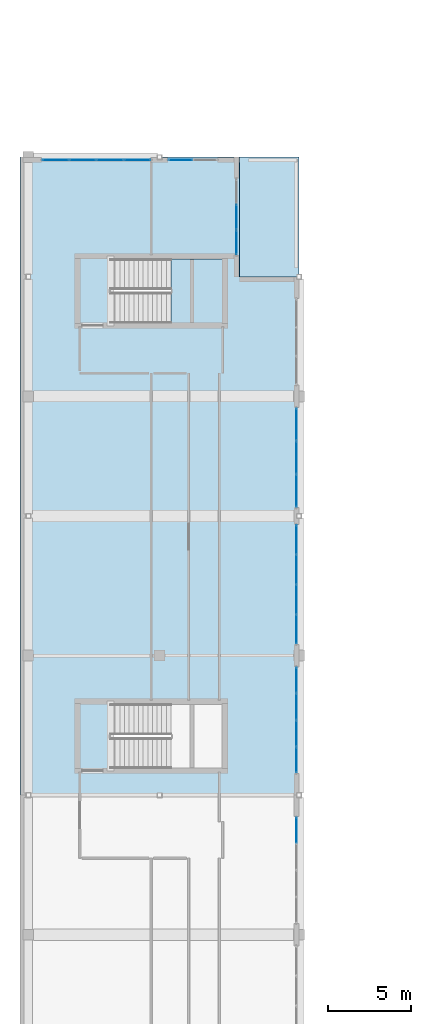
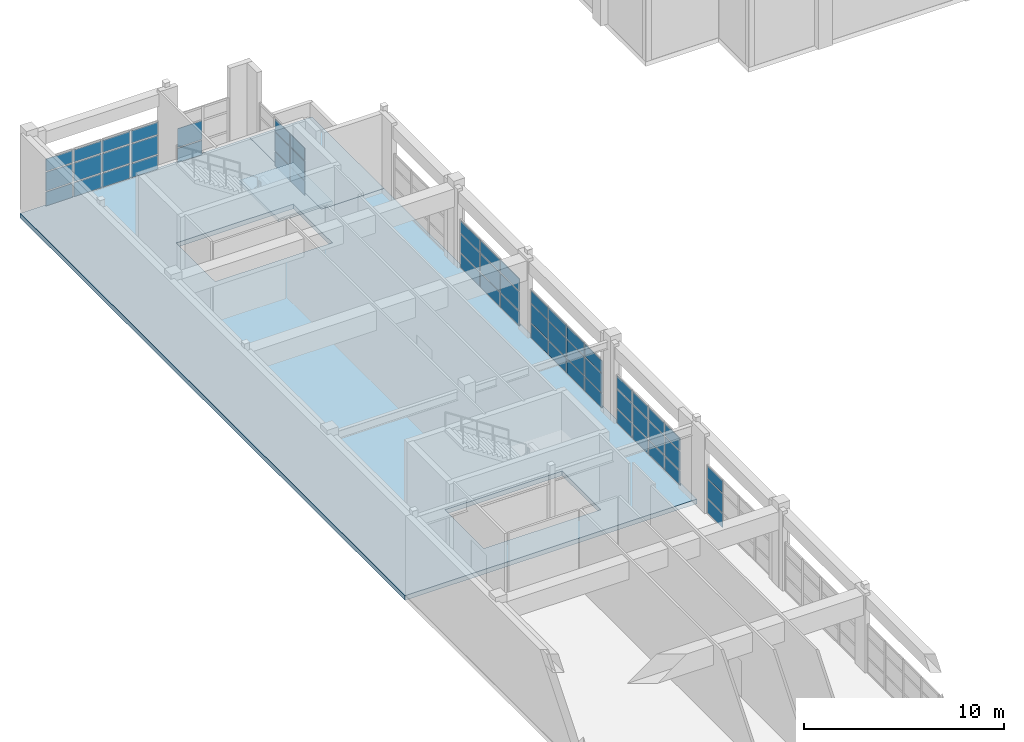
# One storey, part 56 of 78: 56 plates, 3 slabs, 8 elements without a shape of their own.
"""IFC4 building model written with IfcOpenShell, lengths in metres."""

from ifc_helpers import new_model, si_unit, direction, frame, origin, origin_2d, place, context, subcontext, project, spatial, polyline, rectangle, outline, extrude, material, layer, layer_set, type_object, element, aggregate, save


model = new_model("IFC4")

# Units and contexts
model_context = context("Model", 3, precision=1e-05, world=origin(), true_north=direction((0.0, 1.0)))
body_context = subcontext(model_context, "Body", "Model", "MODEL_VIEW")
ifc_project = project(units=[si_unit("LENGTHUNIT", "METRE"), si_unit("AREAUNIT", "SQUARE_METRE"), si_unit("VOLUMEUNIT", "CUBIC_METRE"), si_unit("PLANEANGLEUNIT", "RADIAN"), si_unit("MASSUNIT", "GRAM", prefix="KILO")], contexts=[model_context])

# Site, building, storey
site_placement = place(None, origin())
site = spatial("IfcSite", under=ifc_project, at=site_placement, CompositionType="ELEMENT")
building_placement = place(site_placement, origin())
building = spatial("IfcBuilding", under=site, at=building_placement, Name="Quendrovan Civic Courthouse", CompositionType="ELEMENT")
storey_placement = place(building_placement, frame((0.0, 0.0, 20.39990234375)))
storey = spatial("IfcBuildingStorey", under=building, at=storey_placement, Name="L05", CompositionType="ELEMENT", Elevation=20.39990234375)

# Curtain wall, plates
ifc_material_1 = material(Name="Bronze anodised aluminium and low-E glass", Category="aluminium")
ifc_layer_1 = layer(ifc_material_1, 0.179931640625, Name="Bronze anodised aluminium and low-E glass")
ifc_layer_set_1 = layer_set([ifc_layer_1], Name="Bronze anodised aluminium and low-E glass")
curtain_wall_type_1 = type_object("IfcCurtainWallType", Name="CW-U46x30", PredefinedType="USERDEFINED", material=ifc_layer_set_1)
curtain_wall_1_placement = place(storey_placement, origin())
curtain_wall_1 = element("IfcCurtainWall", 1, at=curtain_wall_1_placement, inside=storey, type_object=curtain_wall_type_1, Name="L05 Unitised Hurricane Curtain Wall CW-180", ObjectType="UNITISED CURTAIN WALL", PredefinedType="USERDEFINED")
ifc_material_2 = material(Name="Laminated hurricane-impact low-E glass", Category="glass")
ifc_layer_2 = layer(ifc_material_2, 0.028076171875, Name="Laminated hurricane-impact low-E glass")
ifc_layer_set_2 = layer_set([ifc_layer_2], Name="Laminated hurricane-impact low-E glass")
plate_type_1 = type_object("IfcPlateType", Name="CW-PNL-1", PredefinedType="CURTAIN_PANEL", material=ifc_layer_set_2)
plate_1_placement = place(storey_placement, frame((13.034912109375, 91.199951171875, 0.0703125), z_axis=(0.0, 0.0, 1.0), x_axis=(0.0, -1.0, 0.0)))
plate_1 = element("IfcPlate", 2, at=plate_1_placement, type_object=plate_type_1, Name="CW-180 panel 2.1", PredefinedType="CURTAIN_PANEL", context=body_context, shape_type="SweptSolid", body=[
    extrude(rectangle(XDim=1.46337890625, YDim=0.028076171875, at=origin_2d()), origin(), (0.0, 0.0, 1.0), 0.844970703125),
])
plate_2_placement = place(storey_placement, frame((13.034912109375, 91.199951171875, 0.985107421875), z_axis=(0.0, 0.0, 1.0), x_axis=(0.0, -1.0, 0.0)))
plate_2 = element("IfcPlate", 3, at=plate_2_placement, type_object=plate_type_1, Name="CW-180 panel 2.2", PredefinedType="CURTAIN_PANEL", context=body_context, shape_type="SweptSolid", body=[
    extrude(rectangle(XDim=1.46337890625, YDim=0.028076171875, at=origin_2d()), origin(), (0.0, 0.0, 1.0), 1.1298828125),
])
plate_3_placement = place(storey_placement, frame((13.034912109375, 91.199951171875, 2.18505859375), z_axis=(0.0, 0.0, 1.0), x_axis=(0.0, -1.0, 0.0)))
plate_3 = element("IfcPlate", 4, at=plate_3_placement, type_object=plate_type_1, Name="CW-180 panel 2.3", PredefinedType="CURTAIN_PANEL", context=body_context, shape_type="SweptSolid", body=[
    extrude(rectangle(XDim=1.46337890625, YDim=0.028076171875, at=origin_2d()), origin(), (0.0, 0.0, 1.0), 0.735107421875),
])
plate_4_placement = place(storey_placement, frame((13.034912109375, 89.68408203125, 0.0703125), z_axis=(0.0, 0.0, 1.0), x_axis=(0.0, -1.0, 0.0)))
plate_4 = element("IfcPlate", 5, at=plate_4_placement, type_object=plate_type_1, Name="CW-180 panel 3.1", PredefinedType="CURTAIN_PANEL", context=body_context, shape_type="SweptSolid", body=[
    extrude(rectangle(XDim=1.42822265625, YDim=0.028076171875, at=origin_2d()), origin(), (0.0, 0.0, 1.0), 0.844970703125),
])
plate_5_placement = place(storey_placement, frame((13.034912109375, 89.68408203125, 0.985107421875), z_axis=(0.0, 0.0, 1.0), x_axis=(0.0, -1.0, 0.0)))
plate_5 = element("IfcPlate", 6, at=plate_5_placement, type_object=plate_type_1, Name="CW-180 panel 3.2", PredefinedType="CURTAIN_PANEL", context=body_context, shape_type="SweptSolid", body=[
    extrude(rectangle(XDim=1.42822265625, YDim=0.028076171875, at=origin_2d()), origin(), (0.0, 0.0, 1.0), 1.1298828125),
])
plate_6_placement = place(storey_placement, frame((13.034912109375, 89.68408203125, 2.18505859375), z_axis=(0.0, 0.0, 1.0), x_axis=(0.0, -1.0, 0.0)))
plate_6 = element("IfcPlate", 7, at=plate_6_placement, type_object=plate_type_1, Name="CW-180 panel 3.3", PredefinedType="CURTAIN_PANEL", context=body_context, shape_type="SweptSolid", body=[
    extrude(rectangle(XDim=1.42822265625, YDim=0.028076171875, at=origin_2d()), origin(), (0.0, 0.0, 1.0), 0.735107421875),
])
aggregate(curtain_wall_1, [plate_1, plate_2, plate_3, plate_4, plate_5, plate_6])

ifc_layer_3 = layer(ifc_material_1, 0.179931640625, Name="Bronze anodised aluminium and low-E glass")
ifc_layer_set_3 = layer_set([ifc_layer_3], Name="Bronze anodised aluminium and low-E glass")
curtain_wall_type_2 = type_object("IfcCurtainWallType", Name="CW-U64x30", PredefinedType="USERDEFINED", material=ifc_layer_set_3)
curtain_wall_2_placement = place(storey_placement, origin())
curtain_wall_2 = element("IfcCurtainWall", 8, at=curtain_wall_2_placement, inside=storey, type_object=curtain_wall_type_2, Name="L05 Unitised Hurricane Curtain Wall CW-184", ObjectType="UNITISED CURTAIN WALL", PredefinedType="USERDEFINED")
plate_7_placement = place(storey_placement, frame((16.635009765625, 63.304443359375, 0.0703125), z_axis=(0.0, 0.0, 1.0), x_axis=(0.0, -1.0, 0.0)))
plate_7 = element("IfcPlate", 9, at=plate_7_placement, type_object=plate_type_1, Name="CW-184 panel 1.1", PredefinedType="CURTAIN_PANEL", context=body_context, shape_type="SweptSolid", body=[
    extrude(rectangle(XDim=1.501220703125, YDim=0.028076171875, at=origin_2d()), origin(), (0.0, 0.0, 1.0), 0.844970703125),
])
plate_8_placement = place(storey_placement, frame((16.635009765625, 63.304443359375, 0.985107421875), z_axis=(0.0, 0.0, 1.0), x_axis=(0.0, -1.0, 0.0)))
plate_8 = element("IfcPlate", 10, at=plate_8_placement, type_object=plate_type_1, Name="CW-184 panel 1.2", PredefinedType="CURTAIN_PANEL", context=body_context, shape_type="SweptSolid", body=[
    extrude(rectangle(XDim=1.501220703125, YDim=0.028076171875, at=origin_2d()), origin(), (0.0, 0.0, 1.0), 1.1298828125),
])
plate_9_placement = place(storey_placement, frame((16.635009765625, 63.304443359375, 2.18505859375), z_axis=(0.0, 0.0, 1.0), x_axis=(0.0, -1.0, 0.0)))
plate_9 = element("IfcPlate", 11, at=plate_9_placement, type_object=plate_type_1, Name="CW-184 panel 1.3", PredefinedType="CURTAIN_PANEL", context=body_context, shape_type="SweptSolid", body=[
    extrude(rectangle(XDim=1.501220703125, YDim=0.028076171875, at=origin_2d()), origin(), (0.0, 0.0, 1.0), 0.735107421875),
])
plate_10_placement = place(storey_placement, frame((16.635009765625, 61.715576171875, 0.0703125), z_axis=(0.0, 0.0, 1.0), x_axis=(0.0, -1.0, 0.0)))
plate_10 = element("IfcPlate", 12, at=plate_10_placement, type_object=plate_type_1, Name="CW-184 panel 2.1", PredefinedType="CURTAIN_PANEL", context=body_context, shape_type="SweptSolid", body=[
    extrude(rectangle(XDim=1.5361328125, YDim=0.028076171875, at=origin_2d()), origin(), (0.0, 0.0, 1.0), 0.844970703125),
])
plate_11_placement = place(storey_placement, frame((16.635009765625, 61.715576171875, 0.985107421875), z_axis=(0.0, 0.0, 1.0), x_axis=(0.0, -1.0, 0.0)))
plate_11 = element("IfcPlate", 13, at=plate_11_placement, type_object=plate_type_1, Name="CW-184 panel 2.2", PredefinedType="CURTAIN_PANEL", context=body_context, shape_type="SweptSolid", body=[
    extrude(rectangle(XDim=1.5361328125, YDim=0.028076171875, at=origin_2d()), origin(), (0.0, 0.0, 1.0), 1.1298828125),
])
plate_12_placement = place(storey_placement, frame((16.635009765625, 61.715576171875, 2.18505859375), z_axis=(0.0, 0.0, 1.0), x_axis=(0.0, -1.0, 0.0)))
plate_12 = element("IfcPlate", 14, at=plate_12_placement, type_object=plate_type_1, Name="CW-184 panel 2.3", PredefinedType="CURTAIN_PANEL", context=body_context, shape_type="SweptSolid", body=[
    extrude(rectangle(XDim=1.5361328125, YDim=0.028076171875, at=origin_2d()), origin(), (0.0, 0.0, 1.0), 0.735107421875),
])
plate_13_placement = place(storey_placement, frame((16.635009765625, 60.109375, 0.0703125), z_axis=(0.0, 0.0, 1.0), x_axis=(0.0, -1.0, 0.0)))
plate_13 = element("IfcPlate", 15, at=plate_13_placement, type_object=plate_type_1, Name="CW-184 panel 3.1", PredefinedType="CURTAIN_PANEL", context=body_context, shape_type="SweptSolid", body=[
    extrude(rectangle(XDim=1.5361328125, YDim=0.028076171875, at=origin_2d()), origin(), (0.0, 0.0, 1.0), 0.844970703125),
])
plate_14_placement = place(storey_placement, frame((16.635009765625, 60.109375, 0.985107421875), z_axis=(0.0, 0.0, 1.0), x_axis=(0.0, -1.0, 0.0)))
plate_14 = element("IfcPlate", 16, at=plate_14_placement, type_object=plate_type_1, Name="CW-184 panel 3.2", PredefinedType="CURTAIN_PANEL", context=body_context, shape_type="SweptSolid", body=[
    extrude(rectangle(XDim=1.5361328125, YDim=0.028076171875, at=origin_2d()), origin(), (0.0, 0.0, 1.0), 1.1298828125),
])
plate_15_placement = place(storey_placement, frame((16.635009765625, 60.109375, 2.18505859375), z_axis=(0.0, 0.0, 1.0), x_axis=(0.0, -1.0, 0.0)))
plate_15 = element("IfcPlate", 17, at=plate_15_placement, type_object=plate_type_1, Name="CW-184 panel 3.3", PredefinedType="CURTAIN_PANEL", context=body_context, shape_type="SweptSolid", body=[
    extrude(rectangle(XDim=1.5361328125, YDim=0.028076171875, at=origin_2d()), origin(), (0.0, 0.0, 1.0), 0.735107421875),
])
plate_16_placement = place(storey_placement, frame((16.635009765625, 58.5205078125, 0.0703125), z_axis=(0.0, 0.0, 1.0), x_axis=(0.0, -1.0, 0.0)))
plate_16 = element("IfcPlate", 18, at=plate_16_placement, type_object=plate_type_1, Name="CW-184 panel 4.1", PredefinedType="CURTAIN_PANEL", context=body_context, shape_type="SweptSolid", body=[
    extrude(rectangle(XDim=1.501220703125, YDim=0.028076171875, at=origin_2d()), origin(), (0.0, 0.0, 1.0), 0.844970703125),
])
plate_17_placement = place(storey_placement, frame((16.635009765625, 58.5205078125, 0.985107421875), z_axis=(0.0, 0.0, 1.0), x_axis=(0.0, -1.0, 0.0)))
plate_17 = element("IfcPlate", 19, at=plate_17_placement, type_object=plate_type_1, Name="CW-184 panel 4.2", PredefinedType="CURTAIN_PANEL", context=body_context, shape_type="SweptSolid", body=[
    extrude(rectangle(XDim=1.501220703125, YDim=0.028076171875, at=origin_2d()), origin(), (0.0, 0.0, 1.0), 1.1298828125),
])
plate_18_placement = place(storey_placement, frame((16.635009765625, 58.5205078125, 2.18505859375), z_axis=(0.0, 0.0, 1.0), x_axis=(0.0, -1.0, 0.0)))
plate_18 = element("IfcPlate", 20, at=plate_18_placement, type_object=plate_type_1, Name="CW-184 panel 4.3", PredefinedType="CURTAIN_PANEL", context=body_context, shape_type="SweptSolid", body=[
    extrude(rectangle(XDim=1.501220703125, YDim=0.028076171875, at=origin_2d()), origin(), (0.0, 0.0, 1.0), 0.735107421875),
])
aggregate(curtain_wall_2, [plate_7, plate_8, plate_9, plate_10, plate_11, plate_12, plate_13, plate_14, plate_15, plate_16, plate_17, plate_18])

curtain_wall_3_placement = place(storey_placement, origin())
curtain_wall_3 = element("IfcCurtainWall", 21, at=curtain_wall_3_placement, inside=storey, type_object=curtain_wall_type_2, Name="L05 Unitised Hurricane Curtain Wall CW-185", ObjectType="UNITISED CURTAIN WALL", PredefinedType="USERDEFINED")
ifc_layer_4 = layer(ifc_material_2, 0.031982421875, Name="Laminated hurricane-impact low-E glass")
ifc_layer_set_4 = layer_set([ifc_layer_4], Name="Laminated hurricane-impact low-E glass")
plate_type_2 = type_object("IfcPlateType", Name="CW-PNL-2", PredefinedType="CURTAIN_PANEL", material=ifc_layer_set_4)
plate_19_placement = place(storey_placement, frame((16.635009765625, 54.280517578125, 0.065185546875), z_axis=(0.0, 0.0, 1.0), x_axis=(0.0, -1.0, 0.0)))
plate_19 = element("IfcPlate", 22, at=plate_19_placement, type_object=plate_type_2, Name="CW-185 panel 1.1", PredefinedType="CURTAIN_PANEL", context=body_context, shape_type="SweptSolid", body=[
    extrude(rectangle(XDim=1.5087890625, YDim=0.031982421875, at=origin_2d()), origin(), (0.0, 0.0, 1.0), 0.8525390625),
])
plate_20_placement = place(storey_placement, frame((16.635009765625, 54.280517578125, 0.982421875), z_axis=(0.0, 0.0, 1.0), x_axis=(0.0, -1.0, 0.0)))
plate_20 = element("IfcPlate", 23, at=plate_20_placement, type_object=plate_type_2, Name="CW-185 panel 1.2", PredefinedType="CURTAIN_PANEL", context=body_context, shape_type="SweptSolid", body=[
    extrude(rectangle(XDim=1.5087890625, YDim=0.031982421875, at=origin_2d()), origin(), (0.0, 0.0, 1.0), 1.135009765625),
])
plate_21_placement = place(storey_placement, frame((16.635009765625, 54.280517578125, 2.1826171875), z_axis=(0.0, 0.0, 1.0), x_axis=(0.0, -1.0, 0.0)))
plate_21 = element("IfcPlate", 24, at=plate_21_placement, type_object=plate_type_2, Name="CW-185 panel 1.3", PredefinedType="CURTAIN_PANEL", context=body_context, shape_type="SweptSolid", body=[
    extrude(rectangle(XDim=1.5087890625, YDim=0.031982421875, at=origin_2d()), origin(), (0.0, 0.0, 1.0), 0.742431640625),
])
aggregate(curtain_wall_3, [plate_19, plate_20, plate_21])

ifc_layer_5 = layer(ifc_material_1, 0.179931640625, Name="Bronze anodised aluminium and low-E glass")
ifc_layer_set_5 = layer_set([ifc_layer_5], Name="Bronze anodised aluminium and low-E glass")
curtain_wall_type_3 = type_object("IfcCurtainWallType", Name="CW-U60x30", PredefinedType="USERDEFINED", material=ifc_layer_set_5)
curtain_wall_4_placement = place(storey_placement, origin())
curtain_wall_4 = element("IfcCurtainWall", 25, at=curtain_wall_4_placement, inside=storey, type_object=curtain_wall_type_3, Name="L05 Unitised Hurricane Curtain Wall CW-182", ObjectType="UNITISED CURTAIN WALL", PredefinedType="USERDEFINED")
ifc_layer_6 = layer(ifc_material_2, 0.035888671875, Name="Laminated hurricane-impact low-E glass")
ifc_layer_set_6 = layer_set([ifc_layer_6], Name="Laminated hurricane-impact low-E glass")
plate_type_3 = type_object("IfcPlateType", Name="CW-PNL-3", PredefinedType="CURTAIN_PANEL", material=ifc_layer_set_6)
plate_22_placement = place(storey_placement, frame((16.635009765625, 78.703369140625, 0.0703125), z_axis=(0.0, 0.0, 1.0), x_axis=(0.0, -1.0, 0.0)))
plate_22 = element("IfcPlate", 26, at=plate_22_placement, type_object=plate_type_3, Name="CW-182 panel 1.1", PredefinedType="CURTAIN_PANEL", context=body_context, shape_type="SweptSolid", body=[
    extrude(rectangle(XDim=1.9033203125, YDim=0.035888671875, at=origin_2d()), origin(), (0.0, 0.0, 1.0), 0.844970703125),
])
plate_23_placement = place(storey_placement, frame((16.635009765625, 78.703369140625, 0.985107421875), z_axis=(0.0, 0.0, 1.0), x_axis=(0.0, -1.0, 0.0)))
plate_23 = element("IfcPlate", 27, at=plate_23_placement, type_object=plate_type_3, Name="CW-182 panel 1.2", PredefinedType="CURTAIN_PANEL", context=body_context, shape_type="SweptSolid", body=[
    extrude(rectangle(XDim=1.9033203125, YDim=0.035888671875, at=origin_2d()), origin(), (0.0, 0.0, 1.0), 1.1298828125),
])
plate_24_placement = place(storey_placement, frame((16.635009765625, 78.703369140625, 2.18505859375), z_axis=(0.0, 0.0, 1.0), x_axis=(0.0, -1.0, 0.0)))
plate_24 = element("IfcPlate", 28, at=plate_24_placement, type_object=plate_type_3, Name="CW-182 panel 1.3", PredefinedType="CURTAIN_PANEL", context=body_context, shape_type="SweptSolid", body=[
    extrude(rectangle(XDim=1.9033203125, YDim=0.035888671875, at=origin_2d()), origin(), (0.0, 0.0, 1.0), 0.735107421875),
])
plate_25_placement = place(storey_placement, frame((16.635009765625, 76.71240234375, 0.0703125), z_axis=(0.0, 0.0, 1.0), x_axis=(0.0, -1.0, 0.0)))
plate_25 = element("IfcPlate", 29, at=plate_25_placement, type_object=plate_type_3, Name="CW-182 panel 2.1", PredefinedType="CURTAIN_PANEL", context=body_context, shape_type="SweptSolid", body=[
    extrude(rectangle(XDim=1.938232421875, YDim=0.035888671875, at=origin_2d()), origin(), (0.0, 0.0, 1.0), 0.844970703125),
])
plate_26_placement = place(storey_placement, frame((16.635009765625, 76.71240234375, 0.985107421875), z_axis=(0.0, 0.0, 1.0), x_axis=(0.0, -1.0, 0.0)))
plate_26 = element("IfcPlate", 30, at=plate_26_placement, type_object=plate_type_3, Name="CW-182 panel 2.2", PredefinedType="CURTAIN_PANEL", context=body_context, shape_type="SweptSolid", body=[
    extrude(rectangle(XDim=1.938232421875, YDim=0.035888671875, at=origin_2d()), origin(), (0.0, 0.0, 1.0), 1.1298828125),
])
plate_27_placement = place(storey_placement, frame((16.635009765625, 76.71240234375, 2.18505859375), z_axis=(0.0, 0.0, 1.0), x_axis=(0.0, -1.0, 0.0)))
plate_27 = element("IfcPlate", 31, at=plate_27_placement, type_object=plate_type_3, Name="CW-182 panel 2.3", PredefinedType="CURTAIN_PANEL", context=body_context, shape_type="SweptSolid", body=[
    extrude(rectangle(XDim=1.938232421875, YDim=0.035888671875, at=origin_2d()), origin(), (0.0, 0.0, 1.0), 0.735107421875),
])
plate_28_placement = place(storey_placement, frame((16.635009765625, 74.7216796875, 0.0703125), z_axis=(0.0, 0.0, 1.0), x_axis=(0.0, -1.0, 0.0)))
plate_28 = element("IfcPlate", 32, at=plate_28_placement, type_object=plate_type_3, Name="CW-182 panel 3.1", PredefinedType="CURTAIN_PANEL", context=body_context, shape_type="SweptSolid", body=[
    extrude(rectangle(XDim=1.9033203125, YDim=0.035888671875, at=origin_2d()), origin(), (0.0, 0.0, 1.0), 0.844970703125),
])
plate_29_placement = place(storey_placement, frame((16.635009765625, 74.7216796875, 0.985107421875), z_axis=(0.0, 0.0, 1.0), x_axis=(0.0, -1.0, 0.0)))
plate_29 = element("IfcPlate", 33, at=plate_29_placement, type_object=plate_type_3, Name="CW-182 panel 3.2", PredefinedType="CURTAIN_PANEL", context=body_context, shape_type="SweptSolid", body=[
    extrude(rectangle(XDim=1.9033203125, YDim=0.035888671875, at=origin_2d()), origin(), (0.0, 0.0, 1.0), 1.1298828125),
])
plate_30_placement = place(storey_placement, frame((16.635009765625, 74.7216796875, 2.18505859375), z_axis=(0.0, 0.0, 1.0), x_axis=(0.0, -1.0, 0.0)))
plate_30 = element("IfcPlate", 34, at=plate_30_placement, type_object=plate_type_3, Name="CW-182 panel 3.3", PredefinedType="CURTAIN_PANEL", context=body_context, shape_type="SweptSolid", body=[
    extrude(rectangle(XDim=1.9033203125, YDim=0.035888671875, at=origin_2d()), origin(), (0.0, 0.0, 1.0), 0.735107421875),
])
aggregate(curtain_wall_4, [plate_22, plate_23, plate_24, plate_25, plate_26, plate_27, plate_28, plate_29, plate_30])

ifc_layer_7 = layer(ifc_material_1, 0.179931640625, Name="Bronze anodised aluminium and low-E glass")
ifc_layer_set_7 = layer_set([ifc_layer_7], Name="Bronze anodised aluminium and low-E glass")
curtain_wall_type_4 = type_object("IfcCurtainWallType", Name="CW-U66x30", PredefinedType="USERDEFINED", material=ifc_layer_set_7)
curtain_wall_5_placement = place(storey_placement, origin())
curtain_wall_5 = element("IfcCurtainWall", 35, at=curtain_wall_5_placement, inside=storey, type_object=curtain_wall_type_4, Name="L05 Unitised Hurricane Curtain Wall CW-190", ObjectType="UNITISED CURTAIN WALL", PredefinedType="USERDEFINED")
plate_31_placement = place(storey_placement, frame((2.142578125, 94.635009765625, 0.0703125), z_axis=(0.0, 0.0, 1.0), x_axis=(1.0, 0.0, 0.0)))
plate_31 = element("IfcPlate", 36, at=plate_31_placement, type_object=plate_type_3, Name="CW-190 panel 1.1", PredefinedType="CURTAIN_PANEL", context=body_context, shape_type="SweptSolid", body=[
    extrude(rectangle(XDim=1.544921875, YDim=0.035888671875, at=origin_2d()), origin(), (0.0, 0.0, 1.0), 0.844970703125),
])
plate_32_placement = place(storey_placement, frame((2.142578125, 94.635009765625, 0.985107421875), z_axis=(0.0, 0.0, 1.0), x_axis=(1.0, 0.0, 0.0)))
plate_32 = element("IfcPlate", 37, at=plate_32_placement, type_object=plate_type_3, Name="CW-190 panel 1.2", PredefinedType="CURTAIN_PANEL", context=body_context, shape_type="SweptSolid", body=[
    extrude(rectangle(XDim=1.544921875, YDim=0.035888671875, at=origin_2d()), origin(), (0.0, 0.0, 1.0), 1.1298828125),
])
plate_33_placement = place(storey_placement, frame((2.142578125, 94.635009765625, 2.18505859375), z_axis=(0.0, 0.0, 1.0), x_axis=(1.0, 0.0, 0.0)))
plate_33 = element("IfcPlate", 38, at=plate_33_placement, type_object=plate_type_3, Name="CW-190 panel 1.3", PredefinedType="CURTAIN_PANEL", context=body_context, shape_type="SweptSolid", body=[
    extrude(rectangle(XDim=1.544921875, YDim=0.035888671875, at=origin_2d()), origin(), (0.0, 0.0, 1.0), 0.735107421875),
])
plate_34_placement = place(storey_placement, frame((3.77490234375, 94.635009765625, 0.0703125), z_axis=(0.0, 0.0, 1.0), x_axis=(1.0, 0.0, 0.0)))
plate_34 = element("IfcPlate", 39, at=plate_34_placement, type_object=plate_type_3, Name="CW-190 panel 2.1", PredefinedType="CURTAIN_PANEL", context=body_context, shape_type="SweptSolid", body=[
    extrude(rectangle(XDim=1.580078125, YDim=0.035888671875, at=origin_2d()), origin(), (0.0, 0.0, 1.0), 0.844970703125),
])
plate_35_placement = place(storey_placement, frame((3.77490234375, 94.635009765625, 0.985107421875), z_axis=(0.0, 0.0, 1.0), x_axis=(1.0, 0.0, 0.0)))
plate_35 = element("IfcPlate", 40, at=plate_35_placement, type_object=plate_type_3, Name="CW-190 panel 2.2", PredefinedType="CURTAIN_PANEL", context=body_context, shape_type="SweptSolid", body=[
    extrude(rectangle(XDim=1.580078125, YDim=0.035888671875, at=origin_2d()), origin(), (0.0, 0.0, 1.0), 1.1298828125),
])
plate_36_placement = place(storey_placement, frame((3.77490234375, 94.635009765625, 2.18505859375), z_axis=(0.0, 0.0, 1.0), x_axis=(1.0, 0.0, 0.0)))
plate_36 = element("IfcPlate", 41, at=plate_36_placement, type_object=plate_type_3, Name="CW-190 panel 2.3", PredefinedType="CURTAIN_PANEL", context=body_context, shape_type="SweptSolid", body=[
    extrude(rectangle(XDim=1.580078125, YDim=0.035888671875, at=origin_2d()), origin(), (0.0, 0.0, 1.0), 0.735107421875),
])
plate_37_placement = place(storey_placement, frame((5.425048828125, 94.635009765625, 0.0703125), z_axis=(0.0, 0.0, 1.0), x_axis=(1.0, 0.0, 0.0)))
plate_37 = element("IfcPlate", 42, at=plate_37_placement, type_object=plate_type_3, Name="CW-190 panel 3.1", PredefinedType="CURTAIN_PANEL", context=body_context, shape_type="SweptSolid", body=[
    extrude(rectangle(XDim=1.580078125, YDim=0.035888671875, at=origin_2d()), origin(), (0.0, 0.0, 1.0), 0.844970703125),
])
plate_38_placement = place(storey_placement, frame((5.425048828125, 94.635009765625, 0.985107421875), z_axis=(0.0, 0.0, 1.0), x_axis=(1.0, 0.0, 0.0)))
plate_38 = element("IfcPlate", 43, at=plate_38_placement, type_object=plate_type_3, Name="CW-190 panel 3.2", PredefinedType="CURTAIN_PANEL", context=body_context, shape_type="SweptSolid", body=[
    extrude(rectangle(XDim=1.580078125, YDim=0.035888671875, at=origin_2d()), origin(), (0.0, 0.0, 1.0), 1.1298828125),
])
plate_39_placement = place(storey_placement, frame((5.425048828125, 94.635009765625, 2.18505859375), z_axis=(0.0, 0.0, 1.0), x_axis=(1.0, 0.0, 0.0)))
plate_39 = element("IfcPlate", 44, at=plate_39_placement, type_object=plate_type_3, Name="CW-190 panel 3.3", PredefinedType="CURTAIN_PANEL", context=body_context, shape_type="SweptSolid", body=[
    extrude(rectangle(XDim=1.580078125, YDim=0.035888671875, at=origin_2d()), origin(), (0.0, 0.0, 1.0), 0.735107421875),
])
plate_40_placement = place(storey_placement, frame((7.0576171875, 94.635009765625, 0.0703125), z_axis=(0.0, 0.0, 1.0), x_axis=(1.0, 0.0, 0.0)))
plate_40 = element("IfcPlate", 45, at=plate_40_placement, type_object=plate_type_3, Name="CW-190 panel 4.1", PredefinedType="CURTAIN_PANEL", context=body_context, shape_type="SweptSolid", body=[
    extrude(rectangle(XDim=1.544921875, YDim=0.035888671875, at=origin_2d()), origin(), (0.0, 0.0, 1.0), 0.844970703125),
])
plate_41_placement = place(storey_placement, frame((7.0576171875, 94.635009765625, 0.985107421875), z_axis=(0.0, 0.0, 1.0), x_axis=(1.0, 0.0, 0.0)))
plate_41 = element("IfcPlate", 46, at=plate_41_placement, type_object=plate_type_3, Name="CW-190 panel 4.2", PredefinedType="CURTAIN_PANEL", context=body_context, shape_type="SweptSolid", body=[
    extrude(rectangle(XDim=1.544921875, YDim=0.035888671875, at=origin_2d()), origin(), (0.0, 0.0, 1.0), 1.1298828125),
])
plate_42_placement = place(storey_placement, frame((7.0576171875, 94.635009765625, 2.18505859375), z_axis=(0.0, 0.0, 1.0), x_axis=(1.0, 0.0, 0.0)))
plate_42 = element("IfcPlate", 47, at=plate_42_placement, type_object=plate_type_3, Name="CW-190 panel 4.3", PredefinedType="CURTAIN_PANEL", context=body_context, shape_type="SweptSolid", body=[
    extrude(rectangle(XDim=1.544921875, YDim=0.035888671875, at=origin_2d()), origin(), (0.0, 0.0, 1.0), 0.735107421875),
])
aggregate(curtain_wall_5, [plate_31, plate_32, plate_33, plate_34, plate_35, plate_36, plate_37, plate_38, plate_39, plate_40, plate_41, plate_42])

ifc_layer_8 = layer(ifc_material_1, 0.179931640625, Name="Bronze anodised aluminium and low-E glass")
ifc_layer_set_8 = layer_set([ifc_layer_8], Name="Bronze anodised aluminium and low-E glass")
curtain_wall_type_5 = type_object("IfcCurtainWallType", Name="CW-U72x30", PredefinedType="USERDEFINED", material=ifc_layer_set_8)
curtain_wall_6_placement = place(storey_placement, origin())
curtain_wall_6 = element("IfcCurtainWall", 48, at=curtain_wall_6_placement, inside=storey, type_object=curtain_wall_type_5, Name="L05 Unitised Hurricane Curtain Wall CW-183", ObjectType="UNITISED CURTAIN WALL", PredefinedType="USERDEFINED")
ifc_layer_9 = layer(ifc_material_2, 0.0419921875, Name="Laminated hurricane-impact low-E glass")
ifc_layer_set_9 = layer_set([ifc_layer_9], Name="Laminated hurricane-impact low-E glass")
plate_type_4 = type_object("IfcPlateType", Name="CW-PNL-4", PredefinedType="CURTAIN_PANEL", material=ifc_layer_set_9)
plate_43_placement = place(storey_placement, frame((16.635009765625, 71.780517578125, 0.065185546875), z_axis=(0.0, 0.0, 1.0), x_axis=(0.0, -1.0, 0.0)))
plate_43 = element("IfcPlate", 49, at=plate_43_placement, type_object=plate_type_4, Name="CW-183 panel 1.1", PredefinedType="CURTAIN_PANEL", context=body_context, shape_type="SweptSolid", body=[
    extrude(rectangle(XDim=1.708740234375, YDim=0.0419921875, at=origin_2d()), origin(), (0.0, 0.0, 1.0), 0.8525390625),
])
plate_44_placement = place(storey_placement, frame((16.635009765625, 71.780517578125, 0.982421875), z_axis=(0.0, 0.0, 1.0), x_axis=(0.0, -1.0, 0.0)))
plate_44 = element("IfcPlate", 50, at=plate_44_placement, type_object=plate_type_4, Name="CW-183 panel 1.2", PredefinedType="CURTAIN_PANEL", context=body_context, shape_type="SweptSolid", body=[
    extrude(rectangle(XDim=1.708740234375, YDim=0.0419921875, at=origin_2d()), origin(), (0.0, 0.0, 1.0), 1.135009765625),
])
plate_45_placement = place(storey_placement, frame((16.635009765625, 71.780517578125, 2.1826171875), z_axis=(0.0, 0.0, 1.0), x_axis=(0.0, -1.0, 0.0)))
plate_45 = element("IfcPlate", 51, at=plate_45_placement, type_object=plate_type_4, Name="CW-183 panel 1.3", PredefinedType="CURTAIN_PANEL", context=body_context, shape_type="SweptSolid", body=[
    extrude(rectangle(XDim=1.708740234375, YDim=0.0419921875, at=origin_2d()), origin(), (0.0, 0.0, 1.0), 0.742431640625),
])
plate_46_placement = place(storey_placement, frame((16.635009765625, 69.99072265625, 0.065185546875), z_axis=(0.0, 0.0, 1.0), x_axis=(0.0, -1.0, 0.0)))
plate_46 = element("IfcPlate", 52, at=plate_46_placement, type_object=plate_type_4, Name="CW-183 panel 2.1", PredefinedType="CURTAIN_PANEL", context=body_context, shape_type="SweptSolid", body=[
    extrude(rectangle(XDim=1.7412109375, YDim=0.0419921875, at=origin_2d()), origin(), (0.0, 0.0, 1.0), 0.8525390625),
])
plate_47_placement = place(storey_placement, frame((16.635009765625, 69.99072265625, 0.982421875), z_axis=(0.0, 0.0, 1.0), x_axis=(0.0, -1.0, 0.0)))
plate_47 = element("IfcPlate", 53, at=plate_47_placement, type_object=plate_type_4, Name="CW-183 panel 2.2", PredefinedType="CURTAIN_PANEL", context=body_context, shape_type="SweptSolid", body=[
    extrude(rectangle(XDim=1.7412109375, YDim=0.0419921875, at=origin_2d()), origin(), (0.0, 0.0, 1.0), 1.135009765625),
])
plate_48_placement = place(storey_placement, frame((16.635009765625, 69.99072265625, 2.1826171875), z_axis=(0.0, 0.0, 1.0), x_axis=(0.0, -1.0, 0.0)))
plate_48 = element("IfcPlate", 54, at=plate_48_placement, type_object=plate_type_4, Name="CW-183 panel 2.3", PredefinedType="CURTAIN_PANEL", context=body_context, shape_type="SweptSolid", body=[
    extrude(rectangle(XDim=1.7412109375, YDim=0.0419921875, at=origin_2d()), origin(), (0.0, 0.0, 1.0), 0.742431640625),
])
plate_49_placement = place(storey_placement, frame((16.635009765625, 68.184326171875, 0.065185546875), z_axis=(0.0, 0.0, 1.0), x_axis=(0.0, -1.0, 0.0)))
plate_49 = element("IfcPlate", 55, at=plate_49_placement, type_object=plate_type_4, Name="CW-183 panel 3.1", PredefinedType="CURTAIN_PANEL", context=body_context, shape_type="SweptSolid", body=[
    extrude(rectangle(XDim=1.7412109375, YDim=0.0419921875, at=origin_2d()), origin(), (0.0, 0.0, 1.0), 0.8525390625),
])
plate_50_placement = place(storey_placement, frame((16.635009765625, 68.184326171875, 0.982421875), z_axis=(0.0, 0.0, 1.0), x_axis=(0.0, -1.0, 0.0)))
plate_50 = element("IfcPlate", 56, at=plate_50_placement, type_object=plate_type_4, Name="CW-183 panel 3.2", PredefinedType="CURTAIN_PANEL", context=body_context, shape_type="SweptSolid", body=[
    extrude(rectangle(XDim=1.7412109375, YDim=0.0419921875, at=origin_2d()), origin(), (0.0, 0.0, 1.0), 1.135009765625),
])
plate_51_placement = place(storey_placement, frame((16.635009765625, 68.184326171875, 2.1826171875), z_axis=(0.0, 0.0, 1.0), x_axis=(0.0, -1.0, 0.0)))
plate_51 = element("IfcPlate", 57, at=plate_51_placement, type_object=plate_type_4, Name="CW-183 panel 3.3", PredefinedType="CURTAIN_PANEL", context=body_context, shape_type="SweptSolid", body=[
    extrude(rectangle(XDim=1.7412109375, YDim=0.0419921875, at=origin_2d()), origin(), (0.0, 0.0, 1.0), 0.742431640625),
])
plate_52_placement = place(storey_placement, frame((16.635009765625, 66.394287109375, 0.065185546875), z_axis=(0.0, 0.0, 1.0), x_axis=(0.0, -1.0, 0.0)))
plate_52 = element("IfcPlate", 58, at=plate_52_placement, type_object=plate_type_4, Name="CW-183 panel 4.1", PredefinedType="CURTAIN_PANEL", context=body_context, shape_type="SweptSolid", body=[
    extrude(rectangle(XDim=1.708740234375, YDim=0.0419921875, at=origin_2d()), origin(), (0.0, 0.0, 1.0), 0.8525390625),
])
plate_53_placement = place(storey_placement, frame((16.635009765625, 66.394287109375, 0.982421875), z_axis=(0.0, 0.0, 1.0), x_axis=(0.0, -1.0, 0.0)))
plate_53 = element("IfcPlate", 59, at=plate_53_placement, type_object=plate_type_4, Name="CW-183 panel 4.2", PredefinedType="CURTAIN_PANEL", context=body_context, shape_type="SweptSolid", body=[
    extrude(rectangle(XDim=1.708740234375, YDim=0.0419921875, at=origin_2d()), origin(), (0.0, 0.0, 1.0), 1.135009765625),
])
plate_54_placement = place(storey_placement, frame((16.635009765625, 66.394287109375, 2.1826171875), z_axis=(0.0, 0.0, 1.0), x_axis=(0.0, -1.0, 0.0)))
plate_54 = element("IfcPlate", 60, at=plate_54_placement, type_object=plate_type_4, Name="CW-183 panel 4.3", PredefinedType="CURTAIN_PANEL", context=body_context, shape_type="SweptSolid", body=[
    extrude(rectangle(XDim=1.708740234375, YDim=0.0419921875, at=origin_2d()), origin(), (0.0, 0.0, 1.0), 0.742431640625),
])
aggregate(curtain_wall_6, [plate_43, plate_44, plate_45, plate_46, plate_47, plate_48, plate_49, plate_50, plate_51, plate_52, plate_53, plate_54])

ifc_layer_10 = layer(ifc_material_1, 0.179931640625, Name="Bronze anodised aluminium and low-E glass")
ifc_layer_set_10 = layer_set([ifc_layer_10], Name="Bronze anodised aluminium and low-E glass")
curtain_wall_type_6 = type_object("IfcCurtainWallType", Name="CW-U30x30", PredefinedType="USERDEFINED", material=ifc_layer_set_10)
curtain_wall_7_placement = place(storey_placement, origin())
curtain_wall_7 = element("IfcCurtainWall", 61, at=curtain_wall_7_placement, inside=storey, type_object=curtain_wall_type_6, Name="L05 Unitised Hurricane Curtain Wall CW-191", ObjectType="UNITISED CURTAIN WALL", PredefinedType="USERDEFINED")
plate_55_placement = place(storey_placement, frame((9.666259765625, 94.635009765625, 0.065185546875), z_axis=(0.0, 0.0, 1.0), x_axis=(1.0, 0.0, 0.0)))
plate_55 = element("IfcPlate", 62, at=plate_55_placement, type_object=plate_type_4, Name="CW-191 panel 1.1", PredefinedType="CURTAIN_PANEL", context=body_context, shape_type="SweptSolid", body=[
    extrude(rectangle(XDim=1.402587890625, YDim=0.0419921875, at=origin_2d()), origin(), (0.0, 0.0, 1.0), 0.8525390625),
])
plate_56_placement = place(storey_placement, frame((9.666259765625, 94.635009765625, 0.982421875), z_axis=(0.0, 0.0, 1.0), x_axis=(1.0, 0.0, 0.0)))
plate_56 = element("IfcPlate", 63, at=plate_56_placement, type_object=plate_type_4, Name="CW-191 panel 1.2", PredefinedType="CURTAIN_PANEL", context=body_context, shape_type="SweptSolid", body=[
    extrude(rectangle(XDim=1.402587890625, YDim=0.0419921875, at=origin_2d()), origin(), (0.0, 0.0, 1.0), 1.135009765625),
])
aggregate(curtain_wall_7, [plate_55, plate_56])

# Slabs
ifc_material_3 = material(Name="Post-tensioned concrete C50/60", Category="concrete")
ifc_layer_11 = layer(ifc_material_3, 0.280029296875, Name="Post-tensioned concrete C50/60")
ifc_layer_set_11 = layer_set([ifc_layer_11], Name="Post-tensioned concrete C50/60")
slab_type_1 = type_object("IfcSlabType", Name="SLB-PT-280", PredefinedType="FLOOR", material=ifc_layer_set_11)
slab_1_placement = place(storey_placement, frame((0.0, 0.0, -0.27978515625)))
element("IfcSlab", 64, at=slab_1_placement, inside=storey, type_object=slab_type_1, Name="L05 Structural Floor Slab V4N", PredefinedType="FLOOR", context=body_context, shape_type="SweptSolid", body=[
    extrude(outline(polyline([(0.0, 56.39990234375), (0.0, 94.800048828125), (13.199951171875, 94.800048828125), (13.199951171875, 87.60009765625), (16.800048828125, 87.60009765625), (16.800048828125, 56.39990234375), (0.0, 56.39990234375)]), holes=[polyline([(5.449951171875, 58.0), (12.199951171875, 58.0), (12.199951171875, 61.8798828125), (5.449951171875, 61.8798828125), (5.449951171875, 58.0)]), polyline([(5.449951171875, 84.800048828125), (12.199951171875, 84.800048828125), (12.199951171875, 88.679931640625), (5.449951171875, 88.679931640625), (5.449951171875, 84.800048828125)])]), origin(), (0.0, 0.0, 1.0), 0.27978515625),
])
ifc_material_4 = material(Name="Concrete C40/50", Category="concrete")
ifc_layer_12 = layer(ifc_material_4, 0.219970703125, Name="Concrete C40/50")
ifc_layer_set_12 = layer_set([ifc_layer_12], Name="Concrete C40/50")
slab_type_2 = type_object("IfcSlabType", Name="SLB-RC-220", PredefinedType="ROOF", material=ifc_layer_set_12)
slab_2_placement = place(storey_placement, frame((0.0, 0.0, -0.219970703125)))
element("IfcSlab", 65, at=slab_2_placement, inside=storey, type_object=slab_type_2, Name="L05 Step-Back Structural Roof Slab SLB-ROOF-L05-19", PredefinedType="ROOF", context=body_context, shape_type="SweptSolid", body=[
    extrude(outline(polyline([(16.800048828125, 94.800048828125), (16.800048828125, 87.60009765625), (13.199951171875, 87.60009765625), (13.199951171875, 94.800048828125), (16.800048828125, 94.800048828125)])), origin(), (0.0, 0.0, 1.0), 0.219970703125),
])

# Stair, slab
ifc_material_5 = material(Name="Precast concrete C45/55", Category="concrete")
stair_type = type_object("IfcStairType", Name="STR-FEAT-5100", PredefinedType="HALF_TURN_STAIR", material=ifc_material_5)
stair_placement = place(storey_placement, origin())
stair = element("IfcStair", 66, at=stair_placement, inside=storey, type_object=stair_type, Name="L05 North-West Law Library Exit Stair 8", PredefinedType="HALF_TURN_STAIR")
ifc_layer_13 = layer(ifc_material_4, 0.199951171875, Name="Concrete C40/50")
ifc_layer_set_13 = layer_set([ifc_layer_13], Name="Concrete C40/50")
slab_type_3 = type_object("IfcSlabType", Name="SLB-STAIR-LND200", PredefinedType="LANDING", material=ifc_layer_set_13)
slab_3_placement = place(storey_placement, frame((0.0, 0.0, 2.35009765625)))
slab_3 = element("IfcSlab", 67, at=slab_3_placement, type_object=slab_type_3, Name="ST8 landing 1", PredefinedType="LANDING", context=body_context, shape_type="SweptSolid", body=[
    extrude(outline(polyline([(9.090087890625, 84.800048828125), (12.199951171875, 84.800048828125), (12.199951171875, 88.679931640625), (9.090087890625, 88.679931640625), (9.090087890625, 84.800048828125)])), origin(), (0.0, 0.0, 1.0), 0.199951171875),
])
aggregate(stair, [slab_3])

save(model, "model.ifc")
